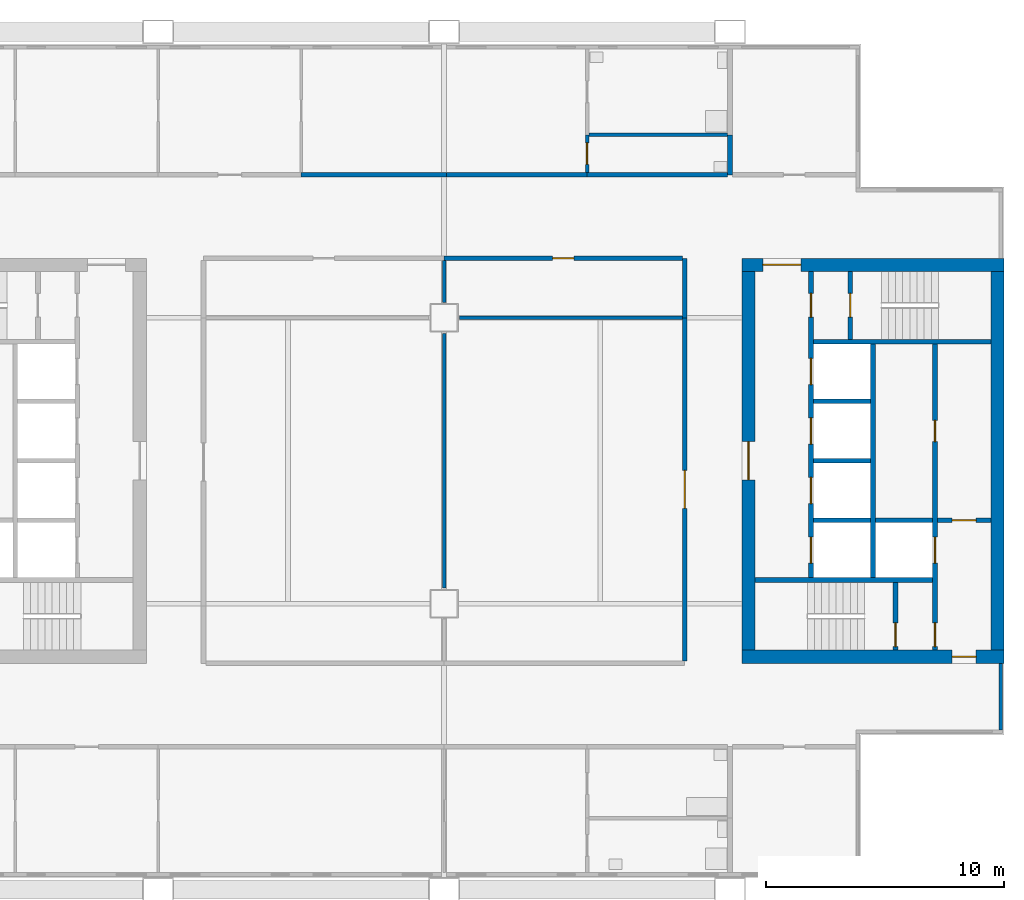
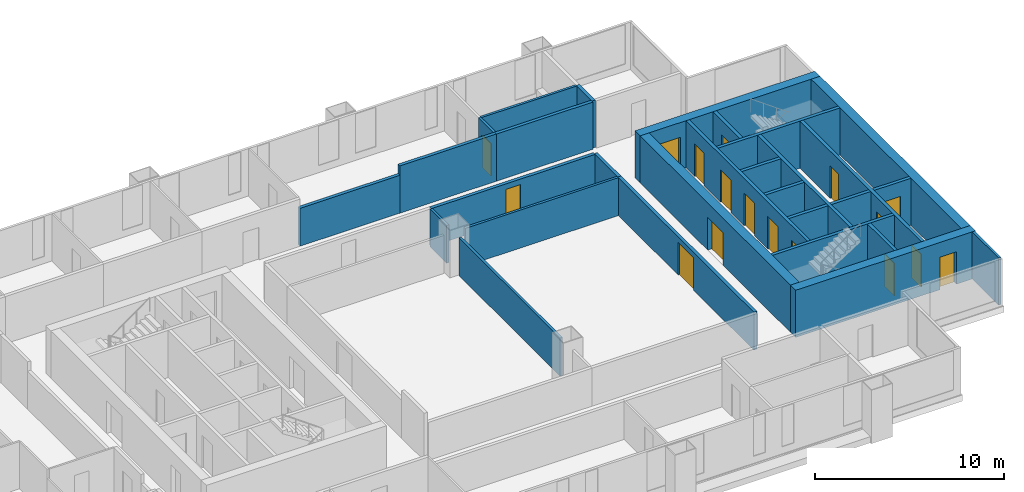
# One storey, part 5 of 9: 29 walls, 17 doors, 17 openings.
"""IFC4 building model written with IfcOpenShell, lengths in metres."""

from ifc_helpers import new_model, si_unit, direction, frame, frame_2d, origin, place, context, subcontext, project, spatial, rectangle, extrude, material, layer, layer_set, type_object, element, fill, save


model = new_model("IFC4")

# Units and contexts
model_context = context("Model", 3, precision=1e-05, world=origin(), true_north=direction((0.0, 1.0)))
body_context = subcontext(model_context, "Body", "Model", "MODEL_VIEW")
ifc_project = project(units=[si_unit("LENGTHUNIT", "METRE"), si_unit("AREAUNIT", "SQUARE_METRE"), si_unit("VOLUMEUNIT", "CUBIC_METRE"), si_unit("PLANEANGLEUNIT", "RADIAN"), si_unit("MASSUNIT", "GRAM", prefix="KILO")], contexts=[model_context])

# Site, building, storey
site_placement = place(None, origin())
site = spatial("IfcSite", under=ifc_project, at=site_placement, CompositionType="ELEMENT")
building_placement = place(site_placement, origin())
building = spatial("IfcBuilding", under=site, at=building_placement, Name="Kitamizu Gate Tower and Museum", CompositionType="ELEMENT")
storey_placement = place(building_placement, frame((0.0, 0.0, 168.60009765625)))
storey = spatial("IfcBuildingStorey", under=building, at=storey_placement, Name="L44", CompositionType="ELEMENT", Elevation=168.60009765625)

# Wall, opening, door
ifc_material_1 = material(Name="Concrete Fc42", Category="concrete")
ifc_layer_1 = layer(ifc_material_1, 0.550048828125)
ifc_layer_set_1 = layer_set([ifc_layer_1], Name="Concrete Fc42")
wall_type_1 = type_object("IfcWallType", Name="Core wall 550", PredefinedType="SHEAR", material=ifc_layer_set_1)
wall_1_placement = place(storey_placement, frame((59.5, 21.77490234375, 0.0), z_axis=(0.0, 0.0, 1.0), x_axis=(-1.0, 0.0, 0.0)))
wall_1 = element("IfcWall", 1, at=wall_1_placement, inside=storey, type_object=wall_type_1, Name="Core wall ES", PredefinedType="SHEAR", context=body_context, shape_type="SweptSolid", body=[
    extrude(rectangle(XDim=11.0, YDim=0.550048828125, at=frame_2d((5.5, 0.0))), origin(), (0.0, 0.0, 1.0), 3.0498046875),
])
opening_1_placement = place(wall_1_placement, frame((1.175048828125, 0.0, 0.0)))
opening_1 = element("IfcOpeningElement", 2, at=opening_1_placement, cuts=wall_1, Name="Opening L44-045", PredefinedType="OPENING", context=body_context, shape_type="SweptSolid", body=[
    extrude(rectangle(XDim=1.0, YDim=2.10009765625, at=frame_2d((0.5, 1.050048828125))), frame((0.0, 0.28515625, 0.0), z_axis=(0.0, -1.0, 0.0), x_axis=(1.0, 0.0, 0.0)), (0.0, 0.0, 1.0), 0.570068359375),
])
ifc_material_2 = material(Name="Hollow metal door set")
door_type_1 = type_object("IfcDoorType", Name="Fire door 1000", OperationType="NOTDEFINED", PredefinedType="DOOR", material=ifc_material_2)
door_1_placement = place(opening_1_placement, frame((1.0, 0.0, 0.0), x_axis=(-1.0, 0.0, 0.0)))
door_1 = element("IfcDoor", 3, at=door_1_placement, inside=storey, type_object=door_type_1, Name="Fire-fighting lobby door L44-045", OperationType="SINGLE_SWING_LEFT", OverallHeight=2.10009765625, OverallWidth=1.0, PredefinedType="DOOR", context=body_context, shape_type="SweptSolid", body=[
    extrude(rectangle(XDim=1.0, YDim=2.10009765625, at=frame_2d((0.5, 1.050048828125))), frame((0.0, 0.02490234375, 0.0), z_axis=(0.0, -1.0, 0.0), x_axis=(1.0, 0.0, 0.0)), (0.0, 0.0, 1.0), 0.050048828125),
])
fill(opening_1, door_1)

wall_2_placement = place(storey_placement, frame((59.5, 38.22509765625, 0.0), z_axis=(0.0, 0.0, 1.0), x_axis=(-1.0, 0.0, 0.0)))
wall_2 = element("IfcWall", 4, at=wall_2_placement, inside=storey, type_object=wall_type_1, Name="Core wall EN", PredefinedType="SHEAR", context=body_context, shape_type="SweptSolid", body=[
    extrude(rectangle(XDim=11.0, YDim=0.550048828125, at=frame_2d((5.5, 0.0))), origin(), (0.0, 0.0, 1.0), 3.0498046875),
])
opening_2_placement = place(wall_2_placement, frame((8.52490234375, 0.0, 0.0)))
opening_2 = element("IfcOpeningElement", 5, at=opening_2_placement, cuts=wall_2, Name="Opening L44-046", PredefinedType="OPENING", context=body_context, shape_type="SweptSolid", body=[
    extrude(rectangle(XDim=1.60009765625, YDim=2.10009765625, at=frame_2d((0.800048828125, 1.050048828125))), frame((0.0, 0.28515625, 0.0), z_axis=(0.0, -1.0, 0.0), x_axis=(1.0, 0.0, 0.0)), (0.0, 0.0, 1.0), 0.570068359375),
])
ifc_material_3 = material(Name="Timber door set", Category="wood")
door_type_2 = type_object("IfcDoorType", Name="Entrance door 1600", OperationType="DOUBLE_DOOR_SINGLE_SWING", PredefinedType="DOOR", material=ifc_material_3)
door_2_placement = place(opening_2_placement, origin())
door_2 = element("IfcDoor", 6, at=door_2_placement, inside=storey, type_object=door_type_2, Name="Lobby door L44-046", OperationType="DOUBLE_DOOR_SINGLE_SWING", OverallHeight=2.10009765625, OverallWidth=1.60009765625, PredefinedType="DOOR", context=body_context, shape_type="SweptSolid", body=[
    extrude(rectangle(XDim=1.60009765625, YDim=2.10009765625, at=frame_2d((0.800048828125, 1.050048828125))), frame((0.0, 0.02490234375, 0.0), z_axis=(0.0, -1.0, 0.0), x_axis=(1.0, 0.0, 0.0)), (0.0, 0.0, 1.0), 0.050048828125),
])
fill(opening_2, door_2)

# Wall
wall_3_placement = place(storey_placement, frame((59.22509765625, 22.050048828125, 0.0), z_axis=(0.0, 0.0, 1.0), x_axis=(0.0, 1.0, 0.0)))
element("IfcWall", 7, at=wall_3_placement, inside=storey, type_object=wall_type_1, Name="Core wall EOUT", PredefinedType="SHEAR", context=body_context, shape_type="SweptSolid", body=[
    extrude(rectangle(XDim=15.89990234375, YDim=0.550048828125, at=frame_2d((7.949951171875, 0.0))), origin(), (0.0, 0.0, 1.0), 3.0498046875),
])

# Wall, opening, door
wall_4_placement = place(storey_placement, frame((48.77490234375, 22.050048828125, 0.0), z_axis=(0.0, 0.0, 1.0), x_axis=(0.0, 1.0, 0.0)))
wall_4 = element("IfcWall", 8, at=wall_4_placement, inside=storey, type_object=wall_type_1, Name="Core wall EARC", PredefinedType="SHEAR", context=body_context, shape_type="SweptSolid", body=[
    extrude(rectangle(XDim=15.89990234375, YDim=0.550048828125, at=frame_2d((7.949951171875, 0.0))), origin(), (0.0, 0.0, 1.0), 3.0498046875),
])
opening_3_placement = place(wall_4_placement, frame((7.14990234375, 0.0, 0.0)))
opening_3 = element("IfcOpeningElement", 9, at=opening_3_placement, cuts=wall_4, Name="Opening L44-047", PredefinedType="OPENING", context=body_context, shape_type="SweptSolid", body=[
    extrude(rectangle(XDim=1.60009765625, YDim=2.10009765625, at=frame_2d((0.800048828125, 1.050048828125))), frame((0.0, 0.28515625, 0.0), z_axis=(0.0, -1.0, 0.0), x_axis=(1.0, 0.0, 0.0)), (0.0, 0.0, 1.0), 0.570068359375),
])
door_3_placement = place(opening_3_placement, origin())
door_3 = element("IfcDoor", 10, at=door_3_placement, inside=storey, type_object=door_type_2, Name="Lobby door L44-047", OperationType="DOUBLE_DOOR_SINGLE_SWING", OverallHeight=2.10009765625, OverallWidth=1.60009765625, PredefinedType="DOOR", context=body_context, shape_type="SweptSolid", body=[
    extrude(rectangle(XDim=1.60009765625, YDim=2.10009765625, at=frame_2d((0.800048828125, 1.050048828125))), frame((0.0, 0.02490234375, 0.0), z_axis=(0.0, -1.0, 0.0), x_axis=(1.0, 0.0, 0.0)), (0.0, 0.0, 1.0), 0.050048828125),
])
fill(opening_3, door_3)

ifc_material_4 = material(Name="Gypsum board on galvanised stud")
ifc_layer_2 = layer(ifc_material_4, 0.14990234375)
ifc_layer_set_2 = layer_set([ifc_layer_2], Name="Gypsum board on galvanised stud")
wall_type_2 = type_object("IfcWallType", Name="Partition 150", PredefinedType="PARTITIONING", material=ifc_layer_set_2)
wall_5_placement = place(storey_placement, frame((42.0, 42.10009765625, 0.0), z_axis=(0.0, 0.0, 1.0), x_axis=(0.0, 1.0, 0.0)))
wall_5 = element("IfcWall", 11, at=wall_5_placement, inside=storey, type_object=wall_type_2, Name="Partition L44-029", PredefinedType="PARTITIONING", context=body_context, shape_type="SweptSolid", body=[
    extrude(rectangle(XDim=1.579833984375, YDim=0.14990234375, at=frame_2d((0.7900390625, 0.0))), origin(), (0.0, 0.0, 1.0), 3.0498046875),
])
opening_4_placement = place(wall_5_placement, frame((0.340087890625, 0.0, 0.0)))
opening_4 = element("IfcOpeningElement", 12, at=opening_4_placement, cuts=wall_5, Name="Opening L44-012", PredefinedType="OPENING", context=body_context, shape_type="SweptSolid", body=[
    extrude(rectangle(XDim=0.89990234375, YDim=2.10009765625, at=frame_2d((0.449951171875, 1.050048828125))), frame((0.0, 0.0849609375, 0.0), z_axis=(0.0, -1.0, 0.0), x_axis=(1.0, 0.0, 0.0)), (0.0, 0.0, 1.0), 0.169921875),
])
ifc_material_5 = material(Name="Timber door set", Category="wood")
door_type_3 = type_object("IfcDoorType", Name="Bathroom door 900", OperationType="NOTDEFINED", PredefinedType="DOOR", material=ifc_material_5)
door_4_placement = place(opening_4_placement, frame((0.89990234375, 0.0, 0.0), x_axis=(-1.0, 0.0, 0.0)))
door_4 = element("IfcDoor", 13, at=door_4_placement, inside=storey, type_object=door_type_3, Name="Bathroom door L44-012", OperationType="SINGLE_SWING_RIGHT", OverallHeight=2.10009765625, OverallWidth=0.89990234375, PredefinedType="DOOR", context=body_context, shape_type="SweptSolid", body=[
    extrude(rectangle(XDim=0.89990234375, YDim=2.10009765625, at=frame_2d((0.449951171875, 1.050048828125))), frame((0.0, 0.02490234375, 0.0), z_axis=(0.0, -1.0, 0.0), x_axis=(1.0, 0.0, 0.0)), (0.0, 0.0, 1.0), 0.050048828125),
])
fill(opening_4, door_4)

# Walls
wall_6_placement = place(storey_placement, frame((42.074951171875, 43.679931640625, 0.0), z_axis=(0.0, 0.0, 1.0), x_axis=(1.0, 0.0, 0.0)))
element("IfcWall", 14, at=wall_6_placement, inside=storey, type_object=wall_type_2, Name="Partition L44-032", PredefinedType="PARTITIONING", context=body_context, shape_type="SweptSolid", body=[
    extrude(rectangle(XDim=5.824951171875, YDim=0.14990234375, at=frame_2d((2.91259765625, 0.0))), origin(), (0.0, 0.0, 1.0), 3.0498046875),
])
wall_7_placement = place(storey_placement, frame((36.0, 24.64990234375, 0.0), z_axis=(0.0, 0.0, 1.0), x_axis=(0.0, 1.0, 0.0)))
element("IfcWall", 15, at=wall_7_placement, inside=storey, type_object=wall_type_2, Name="Partition L44-068", PredefinedType="PARTITIONING", context=body_context, shape_type="SweptSolid", body=[
    extrude(rectangle(XDim=10.7001953125, YDim=0.14990234375, at=frame_2d((5.35009765625, 0.0))), origin(), (0.0, 0.0, 1.0), 2.449951171875),
])
wall_8_placement = place(storey_placement, frame((46.0, 36.0, 0.0), z_axis=(0.0, 0.0, 1.0), x_axis=(-1.0, 0.0, 0.0)))
element("IfcWall", 16, at=wall_8_placement, inside=storey, type_object=wall_type_2, Name="Partition L44-070", PredefinedType="PARTITIONING", context=body_context, shape_type="SweptSolid", body=[
    extrude(rectangle(XDim=9.35009765625, YDim=0.14990234375, at=frame_2d((4.675048828125, 0.0))), origin(), (0.0, 0.0, 1.0), 2.449951171875),
])
wall_9_placement = place(storey_placement, frame((36.0, 36.64990234375, 0.0), z_axis=(0.0, 0.0, 1.0), x_axis=(0.0, 1.0, 0.0)))
element("IfcWall", 17, at=wall_9_placement, inside=storey, type_object=wall_type_2, Name="Partition L44-071", PredefinedType="PARTITIONING", context=body_context, shape_type="SweptSolid", body=[
    extrude(rectangle(XDim=1.75, YDim=0.14990234375, at=frame_2d((0.875, 0.0))), origin(), (0.0, 0.0, 1.0), 2.449951171875),
])
ifc_material_6 = material(Name="Gypsum board on galvanised stud")
ifc_layer_3 = layer(ifc_material_6, 0.199951171875)
ifc_layer_set_3 = layer_set([ifc_layer_3], Name="Gypsum board on galvanised stud")
wall_type_3 = type_object("IfcWallType", Name="Partition 200", PredefinedType="PARTITIONING", material=ifc_layer_set_3)
wall_10_placement = place(storey_placement, frame((30.0, 42.0, 0.0), z_axis=(0.0, 0.0, 1.0), x_axis=(1.0, 0.0, 0.0)))
element("IfcWall", 18, at=wall_10_placement, inside=storey, type_object=wall_type_3, Name="Partition L44-030", PredefinedType="PARTITIONING", context=body_context, shape_type="SweptSolid", body=[
    extrude(rectangle(XDim=6.10009765625, YDim=0.199951171875, at=frame_2d((3.050048828125, 0.0))), origin(), (0.0, 0.0, 1.0), 2.449951171875),
])
wall_11_placement = place(storey_placement, frame((36.10009765625, 42.0, 0.0), z_axis=(0.0, 0.0, 1.0), x_axis=(1.0, 0.0, 0.0)))
element("IfcWall", 19, at=wall_11_placement, inside=storey, type_object=wall_type_3, Name="Partition L44-031", PredefinedType="PARTITIONING", context=body_context, shape_type="SweptSolid", body=[
    extrude(rectangle(XDim=5.89990234375, YDim=0.199951171875, at=frame_2d((2.949951171875, 0.0))), origin(), (0.0, 0.0, 1.0), 3.0498046875),
])
wall_12_placement = place(storey_placement, frame((48.0, 42.0, 0.0), z_axis=(0.0, 0.0, 1.0), x_axis=(0.0, 1.0, 0.0)))
element("IfcWall", 20, at=wall_12_placement, inside=storey, type_object=wall_type_3, Name="Partition L44-034", PredefinedType="PARTITIONING", context=body_context, shape_type="SweptSolid", body=[
    extrude(rectangle(XDim=1.679931640625, YDim=0.199951171875, at=frame_2d((0.83984375, 0.0))), origin(), (0.0, 0.0, 1.0), 3.0498046875),
])
wall_13_placement = place(storey_placement, frame((42.0, 42.0, 0.0), z_axis=(0.0, 0.0, 1.0), x_axis=(1.0, 0.0, 0.0)))
element("IfcWall", 21, at=wall_13_placement, inside=storey, type_object=wall_type_3, Name="Partition L44-035", PredefinedType="PARTITIONING", context=body_context, shape_type="SweptSolid", body=[
    extrude(rectangle(XDim=5.89990234375, YDim=0.199951171875, at=frame_2d((2.949951171875, 0.0))), origin(), (0.0, 0.0, 1.0), 3.0498046875),
])

# Wall, opening, door
wall_14_placement = place(storey_placement, frame((46.10009765625, 21.60009765625, 0.0), z_axis=(0.0, 0.0, 1.0), x_axis=(0.0, 1.0, 0.0)))
wall_14 = element("IfcWall", 22, at=wall_14_placement, inside=storey, type_object=wall_type_3, Name="Partition L44-062", PredefinedType="PARTITIONING", context=body_context, shape_type="SweptSolid", body=[
    extrude(rectangle(XDim=14.39990234375, YDim=0.199951171875, at=frame_2d((7.199951171875, 0.0))), origin(), (0.0, 0.0, 1.0), 2.449951171875),
])
opening_5_placement = place(wall_14_placement, frame((6.39990234375, 0.0, 0.0)))
opening_5 = element("IfcOpeningElement", 23, at=opening_5_placement, cuts=wall_14, Name="Opening L44-027", PredefinedType="OPENING", context=body_context, shape_type="SweptSolid", body=[
    extrude(rectangle(XDim=1.60009765625, YDim=2.10009765625, at=frame_2d((0.800048828125, 1.050048828125))), frame((0.0, 0.10986328125, 0.0), z_axis=(0.0, -1.0, 0.0), x_axis=(1.0, 0.0, 0.0)), (0.0, 0.0, 1.0), 0.219970703125),
])
ifc_material_7 = material(Name="Timber door set", Category="wood")
door_type_4 = type_object("IfcDoorType", Name="Double door 1600", OperationType="DOUBLE_DOOR_SINGLE_SWING", PredefinedType="DOOR", material=ifc_material_7)
door_5_placement = place(opening_5_placement, origin())
door_5 = element("IfcDoor", 24, at=door_5_placement, inside=storey, type_object=door_type_4, Name="Double door L44-027", OperationType="DOUBLE_DOOR_SINGLE_SWING", OverallHeight=2.10009765625, OverallWidth=1.60009765625, PredefinedType="DOOR", context=body_context, shape_type="SweptSolid", body=[
    extrude(rectangle(XDim=1.60009765625, YDim=2.10009765625, at=frame_2d((0.800048828125, 1.050048828125))), frame((0.0, 0.02490234375, 0.0), z_axis=(0.0, -1.0, 0.0), x_axis=(1.0, 0.0, 0.0)), (0.0, 0.0, 1.0), 0.050048828125),
])
fill(opening_5, door_5)

# Wall
wall_15_placement = place(storey_placement, frame((46.10009765625, 36.0, 0.0), z_axis=(0.0, 0.0, 1.0), x_axis=(0.0, 1.0, 0.0)))
element("IfcWall", 25, at=wall_15_placement, inside=storey, type_object=wall_type_3, Name="Partition L44-065", PredefinedType="PARTITIONING", context=body_context, shape_type="SweptSolid", body=[
    extrude(rectangle(XDim=2.5, YDim=0.199951171875, at=frame_2d((1.25, 0.0))), origin(), (0.0, 0.0, 1.0), 2.449951171875),
])

# Wall, opening, door
wall_16_placement = place(storey_placement, frame((46.0, 38.5, 0.0), z_axis=(0.0, 0.0, 1.0), x_axis=(-1.0, 0.0, 0.0)))
wall_16 = element("IfcWall", 26, at=wall_16_placement, inside=storey, type_object=wall_type_3, Name="Partition L44-066", PredefinedType="PARTITIONING", context=body_context, shape_type="SweptSolid", body=[
    extrude(rectangle(XDim=10.0, YDim=0.199951171875, at=frame_2d((5.0, 0.0))), origin(), (0.0, 0.0, 1.0), 2.449951171875),
])
opening_6_placement = place(wall_16_placement, frame((4.550048828125, 0.0, 0.0)))
opening_6 = element("IfcOpeningElement", 27, at=opening_6_placement, cuts=wall_16, Name="Opening L44-029", PredefinedType="OPENING", context=body_context, shape_type="SweptSolid", body=[
    extrude(rectangle(XDim=0.89990234375, YDim=2.10009765625, at=frame_2d((0.449951171875, 1.050048828125))), frame((0.0, 0.10986328125, 0.0), z_axis=(0.0, -1.0, 0.0), x_axis=(1.0, 0.0, 0.0)), (0.0, 0.0, 1.0), 0.219970703125),
])
ifc_material_8 = material(Name="Timber door set", Category="wood")
door_type_5 = type_object("IfcDoorType", Name="Room door 900", OperationType="NOTDEFINED", PredefinedType="DOOR", material=ifc_material_8)
door_6_placement = place(opening_6_placement, origin())
door_6 = element("IfcDoor", 28, at=door_6_placement, inside=storey, type_object=door_type_5, Name="Door L44-029", OperationType="SINGLE_SWING_LEFT", OverallHeight=2.10009765625, OverallWidth=0.89990234375, PredefinedType="DOOR", context=body_context, shape_type="SweptSolid", body=[
    extrude(rectangle(XDim=0.89990234375, YDim=2.10009765625, at=frame_2d((0.449951171875, 1.050048828125))), frame((0.0, 0.02490234375, 0.0), z_axis=(0.0, -1.0, 0.0), x_axis=(1.0, 0.0, 0.0)), (0.0, 0.0, 1.0), 0.050048828125),
])
fill(opening_6, door_6)

# Wall, openings, doors
ifc_material_9 = material(Name="Concrete Fc42", Category="concrete")
ifc_layer_4 = layer(ifc_material_9, 0.199951171875)
ifc_layer_set_4 = layer_set([ifc_layer_4], Name="Concrete Fc42")
wall_type_4 = type_object("IfcWallType", Name="Shaft wall 200", PredefinedType="SOLIDWALL", material=ifc_layer_set_4)
wall_17_placement = place(storey_placement, frame((56.60009765625, 22.050048828125, 0.0), z_axis=(0.0, 0.0, 1.0), x_axis=(0.0, 1.0, 0.0)))
wall_17 = element("IfcWall", 29, at=wall_17_placement, inside=storey, type_object=wall_type_4, Name="Shaft wall EWEST", PredefinedType="SOLIDWALL", context=body_context, shape_type="SweptSolid", body=[
    extrude(rectangle(XDim=12.849853515625, YDim=0.199951171875, at=frame_2d((6.4248046875, 0.0))), origin(), (0.0, 0.0, 1.0), 3.0498046875),
])
opening_7_placement = place(wall_17_placement, frame((3.64990234375, 0.0, 0.0)))
opening_7 = element("IfcOpeningElement", 30, at=opening_7_placement, cuts=wall_17, Name="Opening LD", PredefinedType="OPENING", context=body_context, shape_type="SweptSolid", body=[
    extrude(rectangle(XDim=1.10009765625, YDim=2.10009765625, at=frame_2d((0.550048828125, 1.050048828125))), frame((0.0, 0.10986328125, 0.0), z_axis=(0.0, -1.0, 0.0), x_axis=(1.0, 0.0, 0.0)), (0.0, 0.0, 1.0), 0.219970703125),
])
opening_8_placement = place(wall_17_placement, frame((0.14990234375, 0.0, 0.0)))
opening_8 = element("IfcOpeningElement", 31, at=opening_8_placement, cuts=wall_17, Name="Opening L44-041", PredefinedType="OPENING", context=body_context, shape_type="SweptSolid", body=[
    extrude(rectangle(XDim=1.0, YDim=2.10009765625, at=frame_2d((0.5, 1.050048828125))), frame((0.0, 0.10986328125, 0.0), z_axis=(0.0, -1.0, 0.0), x_axis=(1.0, 0.0, 0.0)), (0.0, 0.0, 1.0), 0.219970703125),
])
opening_9_placement = place(wall_17_placement, frame((8.75, 0.0, 0.0)))
opening_9 = element("IfcOpeningElement", 32, at=opening_9_placement, cuts=wall_17, Name="Opening L44-048", PredefinedType="OPENING", context=body_context, shape_type="SweptSolid", body=[
    extrude(rectangle(XDim=0.89990234375, YDim=2.10009765625, at=frame_2d((0.449951171875, 1.050048828125))), frame((0.0, 0.10986328125, 0.0), z_axis=(0.0, -1.0, 0.0), x_axis=(1.0, 0.0, 0.0)), (0.0, 0.0, 1.0), 0.219970703125),
])
door_7_placement = place(opening_8_placement, origin())
door_7 = element("IfcDoor", 33, at=door_7_placement, inside=storey, type_object=door_type_1, Name="Stair lobby door L44-041", OperationType="SINGLE_SWING_RIGHT", OverallHeight=2.10009765625, OverallWidth=1.0, PredefinedType="DOOR", context=body_context, shape_type="SweptSolid", body=[
    extrude(rectangle(XDim=1.0, YDim=2.10009765625, at=frame_2d((0.5, 1.050048828125))), frame((0.0, 0.02490234375, 0.0), z_axis=(0.0, -1.0, 0.0), x_axis=(1.0, 0.0, 0.0)), (0.0, 0.0, 1.0), 0.050048828125),
])
fill(opening_8, door_7)
ifc_material_10 = material(Name="Hollow metal door set")
door_type_6 = type_object("IfcDoorType", Name="Landing door 1100", OperationType="SLIDING_TO_LEFT", PredefinedType="DOOR", material=ifc_material_10)
door_8_placement = place(opening_7_placement, origin())
door_8 = element("IfcDoor", 34, at=door_8_placement, inside=storey, type_object=door_type_6, Name="Landing door EFF1", OperationType="SLIDING_TO_LEFT", OverallHeight=2.10009765625, OverallWidth=1.10009765625, PredefinedType="DOOR", context=body_context, shape_type="SweptSolid", body=[
    extrude(rectangle(XDim=1.10009765625, YDim=2.10009765625, at=frame_2d((0.550048828125, 1.050048828125))), frame((0.0, 0.02490234375, 0.0), z_axis=(0.0, -1.0, 0.0), x_axis=(1.0, 0.0, 0.0)), (0.0, 0.0, 1.0), 0.050048828125),
])
fill(opening_7, door_8)
ifc_material_11 = material(Name="Timber door set", Category="wood")
door_type_7 = type_object("IfcDoorType", Name="Service door 900", OperationType="NOTDEFINED", PredefinedType="DOOR", material=ifc_material_11)
door_9_placement = place(opening_9_placement, origin())
door_9 = element("IfcDoor", 35, at=door_9_placement, inside=storey, type_object=door_type_7, Name="Service door L44-048", OperationType="SINGLE_SWING_LEFT", OverallHeight=2.10009765625, OverallWidth=0.89990234375, PredefinedType="DOOR", context=body_context, shape_type="SweptSolid", body=[
    extrude(rectangle(XDim=0.89990234375, YDim=2.10009765625, at=frame_2d((0.449951171875, 1.050048828125))), frame((0.0, 0.02490234375, 0.0), z_axis=(0.0, -1.0, 0.0), x_axis=(1.0, 0.0, 0.0)), (0.0, 0.0, 1.0), 0.050048828125),
])
fill(opening_9, door_9)

wall_18_placement = place(storey_placement, frame((51.39990234375, 25.10009765625, 0.0), z_axis=(0.0, 0.0, 1.0), x_axis=(0.0, 1.0, 0.0)))
wall_18 = element("IfcWall", 36, at=wall_18_placement, inside=storey, type_object=wall_type_4, Name="Shaft wall EEAST", PredefinedType="SOLIDWALL", context=body_context, shape_type="SweptSolid", body=[
    extrude(rectangle(XDim=12.849853515625, YDim=0.199951171875, at=frame_2d((6.4248046875, 0.0))), origin(), (0.0, 0.0, 1.0), 3.0498046875),
])
opening_10_placement = place(wall_18_placement, frame((0.60009765625, 0.0, 0.0)))
opening_10 = element("IfcOpeningElement", 37, at=opening_10_placement, cuts=wall_18, Name="Opening LD", PredefinedType="OPENING", context=body_context, shape_type="SweptSolid", body=[
    extrude(rectangle(XDim=1.10009765625, YDim=2.10009765625, at=frame_2d((0.550048828125, 1.050048828125))), frame((0.0, 0.10986328125, 0.0), z_axis=(0.0, -1.0, 0.0), x_axis=(1.0, 0.0, 0.0)), (0.0, 0.0, 1.0), 0.219970703125),
])
opening_11_placement = place(wall_18_placement, frame((3.10009765625, 0.0, 0.0)))
opening_11 = element("IfcOpeningElement", 38, at=opening_11_placement, cuts=wall_18, Name="Opening LD", PredefinedType="OPENING", context=body_context, shape_type="SweptSolid", body=[
    extrude(rectangle(XDim=1.10009765625, YDim=2.10009765625, at=frame_2d((0.550048828125, 1.050048828125))), frame((0.0, 0.10986328125, 0.0), z_axis=(0.0, -1.0, 0.0), x_axis=(1.0, 0.0, 0.0)), (0.0, 0.0, 1.0), 0.219970703125),
])
opening_12_placement = place(wall_18_placement, frame((5.60009765625, 0.0, 0.0)))
opening_12 = element("IfcOpeningElement", 39, at=opening_12_placement, cuts=wall_18, Name="Opening LD", PredefinedType="OPENING", context=body_context, shape_type="SweptSolid", body=[
    extrude(rectangle(XDim=1.10009765625, YDim=2.10009765625, at=frame_2d((0.550048828125, 1.050048828125))), frame((0.0, 0.10986328125, 0.0), z_axis=(0.0, -1.0, 0.0), x_axis=(1.0, 0.0, 0.0)), (0.0, 0.0, 1.0), 0.219970703125),
])
opening_13_placement = place(wall_18_placement, frame((8.10009765625, 0.0, 0.0)))
opening_13 = element("IfcOpeningElement", 40, at=opening_13_placement, cuts=wall_18, Name="Opening LD", PredefinedType="OPENING", context=body_context, shape_type="SweptSolid", body=[
    extrude(rectangle(XDim=1.10009765625, YDim=2.10009765625, at=frame_2d((0.550048828125, 1.050048828125))), frame((0.0, 0.10986328125, 0.0), z_axis=(0.0, -1.0, 0.0), x_axis=(1.0, 0.0, 0.0)), (0.0, 0.0, 1.0), 0.219970703125),
])
opening_14_placement = place(wall_18_placement, frame((10.925048828125, 0.0, 0.0)))
opening_14 = element("IfcOpeningElement", 41, at=opening_14_placement, cuts=wall_18, Name="Opening L44-042", PredefinedType="OPENING", context=body_context, shape_type="SweptSolid", body=[
    extrude(rectangle(XDim=1.0, YDim=2.10009765625, at=frame_2d((0.5, 1.050048828125))), frame((0.0, 0.10986328125, 0.0), z_axis=(0.0, -1.0, 0.0), x_axis=(1.0, 0.0, 0.0)), (0.0, 0.0, 1.0), 0.219970703125),
])
door_10_placement = place(opening_14_placement, frame((1.0, 0.0, 0.0), x_axis=(-1.0, 0.0, 0.0)))
door_10 = element("IfcDoor", 42, at=door_10_placement, inside=storey, type_object=door_type_1, Name="Stair lobby door L44-042", OperationType="SINGLE_SWING_RIGHT", OverallHeight=2.10009765625, OverallWidth=1.0, PredefinedType="DOOR", context=body_context, shape_type="SweptSolid", body=[
    extrude(rectangle(XDim=1.0, YDim=2.10009765625, at=frame_2d((0.5, 1.050048828125))), frame((0.0, 0.02490234375, 0.0), z_axis=(0.0, -1.0, 0.0), x_axis=(1.0, 0.0, 0.0)), (0.0, 0.0, 1.0), 0.050048828125),
])
fill(opening_14, door_10)
door_11_placement = place(opening_10_placement, origin())
door_11 = element("IfcDoor", 43, at=door_11_placement, inside=storey, type_object=door_type_6, Name="Landing door ESV1", OperationType="SLIDING_TO_LEFT", OverallHeight=2.10009765625, OverallWidth=1.10009765625, PredefinedType="DOOR", context=body_context, shape_type="SweptSolid", body=[
    extrude(rectangle(XDim=1.10009765625, YDim=2.10009765625, at=frame_2d((0.550048828125, 1.050048828125))), frame((0.0, 0.02490234375, 0.0), z_axis=(0.0, -1.0, 0.0), x_axis=(1.0, 0.0, 0.0)), (0.0, 0.0, 1.0), 0.050048828125),
])
fill(opening_10, door_11)
door_12_placement = place(opening_11_placement, origin())
door_12 = element("IfcDoor", 44, at=door_12_placement, inside=storey, type_object=door_type_6, Name="Landing door EH1", OperationType="SLIDING_TO_LEFT", OverallHeight=2.10009765625, OverallWidth=1.10009765625, PredefinedType="DOOR", context=body_context, shape_type="SweptSolid", body=[
    extrude(rectangle(XDim=1.10009765625, YDim=2.10009765625, at=frame_2d((0.550048828125, 1.050048828125))), frame((0.0, 0.02490234375, 0.0), z_axis=(0.0, -1.0, 0.0), x_axis=(1.0, 0.0, 0.0)), (0.0, 0.0, 1.0), 0.050048828125),
])
fill(opening_11, door_12)
door_13_placement = place(opening_12_placement, origin())
door_13 = element("IfcDoor", 45, at=door_13_placement, inside=storey, type_object=door_type_6, Name="Landing door EH2", OperationType="SLIDING_TO_LEFT", OverallHeight=2.10009765625, OverallWidth=1.10009765625, PredefinedType="DOOR", context=body_context, shape_type="SweptSolid", body=[
    extrude(rectangle(XDim=1.10009765625, YDim=2.10009765625, at=frame_2d((0.550048828125, 1.050048828125))), frame((0.0, 0.02490234375, 0.0), z_axis=(0.0, -1.0, 0.0), x_axis=(1.0, 0.0, 0.0)), (0.0, 0.0, 1.0), 0.050048828125),
])
fill(opening_12, door_13)
door_14_placement = place(opening_13_placement, origin())
door_14 = element("IfcDoor", 46, at=door_14_placement, inside=storey, type_object=door_type_6, Name="Landing door EH3", OperationType="SLIDING_TO_LEFT", OverallHeight=2.10009765625, OverallWidth=1.10009765625, PredefinedType="DOOR", context=body_context, shape_type="SweptSolid", body=[
    extrude(rectangle(XDim=1.10009765625, YDim=2.10009765625, at=frame_2d((0.550048828125, 1.050048828125))), frame((0.0, 0.02490234375, 0.0), z_axis=(0.0, -1.0, 0.0), x_axis=(1.0, 0.0, 0.0)), (0.0, 0.0, 1.0), 0.050048828125),
])
fill(opening_13, door_14)

# Walls
wall_19_placement = place(storey_placement, frame((54.0, 25.10009765625, 0.0), z_axis=(0.0, 0.0, 1.0), x_axis=(0.0, 1.0, 0.0)))
element("IfcWall", 47, at=wall_19_placement, inside=storey, type_object=wall_type_4, Name="Shaft wall EMID", PredefinedType="SOLIDWALL", context=body_context, shape_type="SweptSolid", body=[
    extrude(rectangle(XDim=9.7998046875, YDim=0.199951171875, at=frame_2d((4.89990234375, 0.0))), origin(), (0.0, 0.0, 1.0), 3.0498046875),
])
for number, where, z_axis, x_axis, name in (
    (48, (56.5, 25.0, 0.0), (0.0, 0.0, 1.0), (-1.0, 0.0, 0.0), "Shaft wall ESB"),
    (49, (58.949951171875, 35.0, 0.0), (0.0, 0.0, 1.0), (-1.0, 0.0, 0.0), "Shaft wall ENB"),
):
    element("IfcWall", number, at=place(storey_placement, frame(where, z_axis=z_axis, x_axis=x_axis)), inside=storey, type_object=wall_type_4, Name=name, PredefinedType="SOLIDWALL", context=body_context, shape_type="SweptSolid", body=[
        extrude(rectangle(XDim=7.449951171875, YDim=0.199951171875, at=frame_2d((3.72509765625, 0.0))), origin(), (0.0, 0.0, 1.0), 3.0498046875),
    ])

# Wall, opening, door
wall_20_placement = place(storey_placement, frame((58.949951171875, 27.5, 0.0), z_axis=(0.0, 0.0, 1.0), x_axis=(-1.0, 0.0, 0.0)))
wall_20 = element("IfcWall", 50, at=wall_20_placement, inside=storey, type_object=wall_type_4, Name="Shaft wall EFFN", PredefinedType="SOLIDWALL", context=body_context, shape_type="SweptSolid", body=[
    extrude(rectangle(XDim=2.25, YDim=0.199951171875, at=frame_2d((1.125, 0.0))), origin(), (0.0, 0.0, 1.0), 3.0498046875),
])
opening_15_placement = place(wall_20_placement, frame((0.625, 0.0, 0.0)))
opening_15 = element("IfcOpeningElement", 51, at=opening_15_placement, cuts=wall_20, Name="Opening L44-044", PredefinedType="OPENING", context=body_context, shape_type="SweptSolid", body=[
    extrude(rectangle(XDim=1.0, YDim=2.10009765625, at=frame_2d((0.5, 1.050048828125))), frame((0.0, 0.10986328125, 0.0), z_axis=(0.0, -1.0, 0.0), x_axis=(1.0, 0.0, 0.0)), (0.0, 0.0, 1.0), 0.219970703125),
])
door_15_placement = place(opening_15_placement, origin())
door_15 = element("IfcDoor", 52, at=door_15_placement, inside=storey, type_object=door_type_1, Name="Fire-fighting lobby door L44-044", OperationType="SINGLE_SWING_LEFT", OverallHeight=2.10009765625, OverallWidth=1.0, PredefinedType="DOOR", context=body_context, shape_type="SweptSolid", body=[
    extrude(rectangle(XDim=1.0, YDim=2.10009765625, at=frame_2d((0.5, 1.050048828125))), frame((0.0, 0.02490234375, 0.0), z_axis=(0.0, -1.0, 0.0), x_axis=(1.0, 0.0, 0.0)), (0.0, 0.0, 1.0), 0.050048828125),
])
fill(opening_15, door_15)

wall_21_placement = place(storey_placement, frame((54.949951171875, 22.050048828125, 0.0), z_axis=(0.0, 0.0, 1.0), x_axis=(0.0, 1.0, 0.0)))
wall_21 = element("IfcWall", 53, at=wall_21_placement, inside=storey, type_object=wall_type_4, Name="Shaft wall ESZ", PredefinedType="SOLIDWALL", context=body_context, shape_type="SweptSolid", body=[
    extrude(rectangle(XDim=2.849853515625, YDim=0.199951171875, at=frame_2d((1.4248046875, 0.0))), origin(), (0.0, 0.0, 1.0), 3.0498046875),
])
opening_16_placement = place(wall_21_placement, frame((0.14990234375, 0.0, 0.0)))
opening_16 = element("IfcOpeningElement", 54, at=opening_16_placement, cuts=wall_21, Name="Opening L44-040", PredefinedType="OPENING", context=body_context, shape_type="SweptSolid", body=[
    extrude(rectangle(XDim=1.0, YDim=2.10009765625, at=frame_2d((0.5, 1.050048828125))), frame((0.0, 0.10986328125, 0.0), z_axis=(0.0, -1.0, 0.0), x_axis=(1.0, 0.0, 0.0)), (0.0, 0.0, 1.0), 0.219970703125),
])
door_16_placement = place(opening_16_placement, origin())
door_16 = element("IfcDoor", 55, at=door_16_placement, inside=storey, type_object=door_type_1, Name="Stair door L44-040", OperationType="SINGLE_SWING_RIGHT", OverallHeight=2.10009765625, OverallWidth=1.0, PredefinedType="DOOR", context=body_context, shape_type="SweptSolid", body=[
    extrude(rectangle(XDim=1.0, YDim=2.10009765625, at=frame_2d((0.5, 1.050048828125))), frame((0.0, 0.02490234375, 0.0), z_axis=(0.0, -1.0, 0.0), x_axis=(1.0, 0.0, 0.0)), (0.0, 0.0, 1.0), 0.050048828125),
])
fill(opening_16, door_16)

wall_22_placement = place(storey_placement, frame((53.050048828125, 35.10009765625, 0.0), z_axis=(0.0, 0.0, 1.0), x_axis=(0.0, 1.0, 0.0)))
wall_22 = element("IfcWall", 56, at=wall_22_placement, inside=storey, type_object=wall_type_4, Name="Shaft wall ENZ", PredefinedType="SOLIDWALL", context=body_context, shape_type="SweptSolid", body=[
    extrude(rectangle(XDim=2.849853515625, YDim=0.199951171875, at=frame_2d((1.4248046875, 0.0))), origin(), (0.0, 0.0, 1.0), 3.0498046875),
])
opening_17_placement = place(wall_22_placement, frame((0.925048828125, 0.0, 0.0)))
opening_17 = element("IfcOpeningElement", 57, at=opening_17_placement, cuts=wall_22, Name="Opening L44-043", PredefinedType="OPENING", context=body_context, shape_type="SweptSolid", body=[
    extrude(rectangle(XDim=1.0, YDim=2.10009765625, at=frame_2d((0.5, 1.050048828125))), frame((0.0, 0.10986328125, 0.0), z_axis=(0.0, -1.0, 0.0), x_axis=(1.0, 0.0, 0.0)), (0.0, 0.0, 1.0), 0.219970703125),
])
door_17_placement = place(opening_17_placement, frame((1.0, 0.0, 0.0), x_axis=(-1.0, 0.0, 0.0)))
door_17 = element("IfcDoor", 58, at=door_17_placement, inside=storey, type_object=door_type_1, Name="Stair door L44-043", OperationType="SINGLE_SWING_LEFT", OverallHeight=2.10009765625, OverallWidth=1.0, PredefinedType="DOOR", context=body_context, shape_type="SweptSolid", body=[
    extrude(rectangle(XDim=1.0, YDim=2.10009765625, at=frame_2d((0.5, 1.050048828125))), frame((0.0, 0.02490234375, 0.0), z_axis=(0.0, -1.0, 0.0), x_axis=(1.0, 0.0, 0.0)), (0.0, 0.0, 1.0), 0.050048828125),
])
fill(opening_17, door_17)

# Walls
for number, where, z_axis, x_axis, name in (
    (59, (56.5, 27.5, 0.0), (0.0, 0.0, 1.0), (-1.0, 0.0, 0.0), "Shaft wall EDVW0"),
    (60, (53.89990234375, 27.5, 0.0), (0.0, 0.0, 1.0), (-1.0, 0.0, 0.0), "Shaft wall EDVE0"),
    (61, (53.89990234375, 30.0, 0.0), (0.0, 0.0, 1.0), (-1.0, 0.0, 0.0), "Shaft wall EDVE1"),
    (62, (53.89990234375, 32.5, 0.0), (0.0, 0.0, 1.0), (-1.0, 0.0, 0.0), "Shaft wall EDVE2"),
):
    element("IfcWall", number, at=place(storey_placement, frame(where, z_axis=z_axis, x_axis=x_axis)), inside=storey, type_object=wall_type_4, Name=name, PredefinedType="SOLIDWALL", context=body_context, shape_type="SweptSolid", body=[
        extrude(rectangle(XDim=2.39990234375, YDim=0.199951171875, at=frame_2d((1.199951171875, 0.0))), origin(), (0.0, 0.0, 1.0), 3.0498046875),
    ])
ifc_material_12 = material(Name="Bronze anodised aluminium frame with insulated spandrel and tinted glass", Category="aluminium")
ifc_layer_5 = layer(ifc_material_12, 0.14990234375)
ifc_layer_set_5 = layer_set([ifc_layer_5], Name="Bronze anodised aluminium frame with insulated spandrel and tinted glass")
wall_type_5 = type_object("IfcWallType", Name="WINDOW WALL 150 BRONZE FRAME EI 30", PredefinedType="ELEMENTEDWALL", material=ifc_layer_set_5)
wall_23_placement = place(storey_placement, frame((59.364990234375, 18.7099609375, 0.0), z_axis=(0.0, 0.0, 1.0), x_axis=(0.0, 1.0, 0.0)))
element("IfcWall", 63, at=wall_23_placement, inside=storey, type_object=wall_type_5, Name="Window wall east L44", PredefinedType="ELEMENTEDWALL", context=body_context, shape_type="SweptSolid", body=[
    extrude(rectangle(XDim=2.7900390625, YDim=0.14990234375, at=frame_2d((1.39501953125, 0.0))), origin(), (0.0, 0.0, 1.0), 3.0498046875),
])

save(model, "model.ifc")
